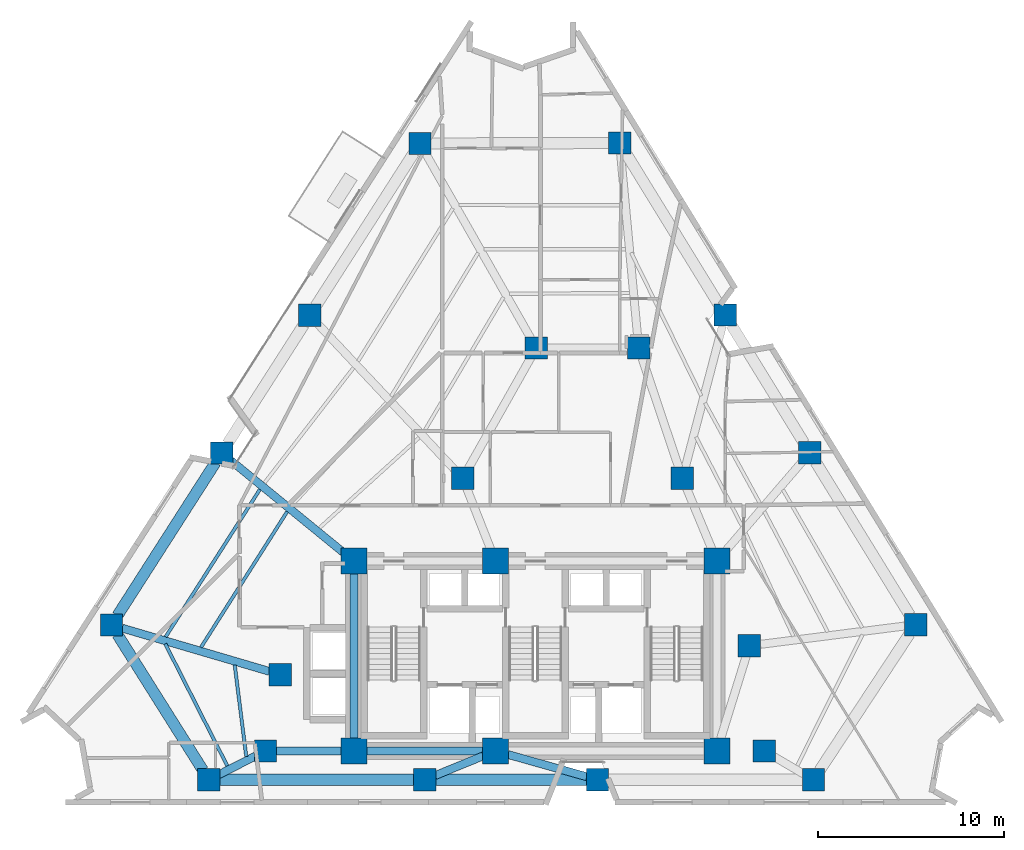
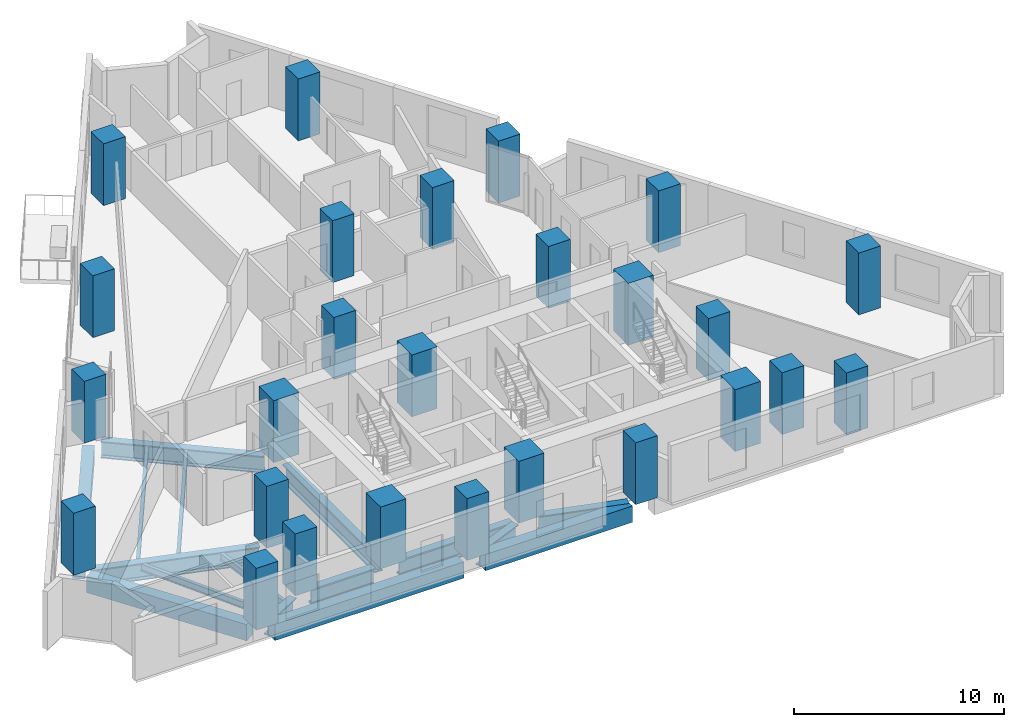
# One storey, part 1 of 13: 26 columns, 16 beams.
"""IFC4 building model written with IfcOpenShell, lengths in metres."""

import ifcopenshell
import ifcopenshell.guid

model = None  # the IFC model being written
_history = None  # IfcOwnerHistory: only IFC2X3 demands one
_inside = {}  # id of a spatial element -> (the spatial element, [elements in it])
_under = {}  # id of a project, library or spatial element -> (it, [spatial elements below it])
_declared = {}  # id of a project -> (the project, [libraries it declares])
_typed = {}  # id of a type object -> (the type object, [elements of that type])
_made_of = {}  # id of a material, layer set ... -> (it, [elements and type objects made of it])


def new_model(schema):
    """Start an empty IFC model of exactly this schema.

    Asked for "IFC4X3", IfcOpenShell would pick the latest addendum, in which some entities
    have other attributes; the version numbers below select the first issue.
    IFC2X3 requires an IfcOwnerHistory on every rooted entity: one is made here for all.
    """
    global model, _history
    if schema == "IFC4X3":
        model = ifcopenshell.file(schema_version=(4, 3, 0, 0))
    else:
        model = ifcopenshell.file(schema=schema)
    _inside.clear()
    _under.clear()
    _declared.clear()
    _typed.clear()
    _made_of.clear()
    _history = None
    if model.schema == "IFC2X3":
        org = make("IfcOrganization", Name="unknown")
        user = make(
            "IfcPersonAndOrganization",
            ThePerson=make("IfcPerson", FamilyName="unknown"),
            TheOrganization=org,
        )
        app = make(
            "IfcApplication",
            ApplicationDeveloper=org,
            Version="unknown",
            ApplicationFullName="unknown",
            ApplicationIdentifier="unknown",
        )
        _history = make(
            "IfcOwnerHistory",
            OwningUser=user,
            OwningApplication=app,
            ChangeAction="ADDED",
            CreationDate=0,
        )
    return model


def make(cls, **values):
    """One entity of the class cls with the attributes given. An attribute that is None is left unset."""
    return model.create_entity(
        cls, **{name: value for name, value in values.items() if value is not None}
    )


def rooted(cls, **values):
    """An entity with a GlobalId (a new one), such as an element, a storey or a relation."""
    return make(cls, GlobalId=ifcopenshell.guid.new(), OwnerHistory=_history, **values)


def si_unit(unit_type, name, prefix=None):
    """IfcSIUnit, for example si_unit("LENGTHUNIT", "METRE", prefix="MILLI")."""
    return make("IfcSIUnit", UnitType=unit_type, Prefix=prefix, Name=name)


def assignment(units):
    """IfcUnitAssignment: the units of a project."""
    return None if units is None else make("IfcUnitAssignment", Units=units)


def point(xyz):
    """IfcCartesianPoint."""
    return None if xyz is None else make("IfcCartesianPoint", Coordinates=xyz)


def direction(xyz):
    """IfcDirection."""
    return None if xyz is None else make("IfcDirection", DirectionRatios=xyz)


def frame(location, z_axis=None, x_axis=None):
    """IfcAxis2Placement3D, a coordinate frame: its origin and axes. An axis left out is left unset."""
    return make(
        "IfcAxis2Placement3D",
        Location=point(location),
        Axis=direction(z_axis),
        RefDirection=direction(x_axis),
    )


def frame_2d(location, x_axis=None):
    """IfcAxis2Placement2D, a coordinate frame in the plane: its origin and x axis."""
    return make(
        "IfcAxis2Placement2D", Location=point(location), RefDirection=direction(x_axis)
    )


def origin():
    """The frame at (0, 0, 0) with its axes left unset."""
    return frame((0.0, 0.0, 0.0))


def origin_2d():
    """The frame at (0, 0) in the plane with its x axis left unset."""
    return frame_2d((0.0, 0.0))


def place(relative_to, where):
    """IfcLocalPlacement: puts the frame where relative to a parent placement (None: the world)."""
    return make(
        "IfcLocalPlacement", PlacementRelTo=relative_to, RelativePlacement=where
    )


def context(
    kind, dimensions, precision=None, world=None, true_north=None, identifier=None
):
    """IfcGeometricRepresentationContext, for example the 3D "Model" context."""
    return make(
        "IfcGeometricRepresentationContext",
        ContextIdentifier=identifier,
        ContextType=kind,
        CoordinateSpaceDimension=dimensions,
        Precision=precision,
        WorldCoordinateSystem=world,
        TrueNorth=true_north,
    )


def subcontext(parent, identifier, kind, view, scale=None):
    """IfcGeometricRepresentationSubContext, for example "Body" below "Model"."""
    return make(
        "IfcGeometricRepresentationSubContext",
        ContextIdentifier=identifier,
        ContextType=kind,
        ParentContext=parent,
        TargetScale=scale,
        TargetView=view,
    )


def project(units=None, contexts=None):
    """IfcProject with its units and contexts."""
    return rooted(
        "IfcProject",
        Name="project",
        RepresentationContexts=contexts,
        UnitsInContext=assignment(units),
    )


def spatial(cls, under=None, at=None, **own):
    """A site, building, storey or space (cls), placed at a placement, below another one or the project."""
    s = rooted(cls, ObjectPlacement=at, **own)
    if under is not None:
        _under.setdefault(under.id(), (under, []))[1].append(s)
    return s


def profile(cls, at=None, kind="AREA", **sizes):
    """A parametric profile (cls). Its sizes go by their IFC names, for example OverallWidth=200.0."""
    return make(cls, ProfileType=kind, Position=at, **sizes)


def rectangle(**sizes):
    """IfcRectangleProfileDef."""
    return profile("IfcRectangleProfileDef", **sizes)


def i_section(**sizes):
    """IfcIShapeProfileDef."""
    return profile("IfcIShapeProfileDef", **sizes)


def extrude(swept, where, along, depth):
    """IfcExtrudedAreaSolid: the profile swept, set in the frame where, extruded along a direction by depth."""
    return make(
        "IfcExtrudedAreaSolid",
        SweptArea=swept,
        Position=where,
        ExtrudedDirection=direction(along),
        Depth=depth,
    )


def shape(context_of_items, identifier, shape_type, items):
    """IfcShapeRepresentation: the items that make up one representation, for example the "Body"."""
    return make(
        "IfcShapeRepresentation",
        ContextOfItems=context_of_items,
        RepresentationIdentifier=identifier,
        RepresentationType=shape_type,
        Items=items,
    )


def material(Name=None, Category=None):
    """IfcMaterial."""
    return make("IfcMaterial", Name=Name, Category=Category)


def material_profile(
    of_material, cross_section, Name=None, Category=None, Priority=None
):
    """IfcMaterialProfile: a cross section and its material."""
    return make(
        "IfcMaterialProfile",
        Name=Name,
        Material=of_material,
        Profile=cross_section,
        Priority=Priority,
        Category=Category,
    )


def profile_set(profiles, Name=None, composite=None):
    """IfcMaterialProfileSet."""
    return make(
        "IfcMaterialProfileSet",
        Name=Name,
        MaterialProfiles=profiles,
        CompositeProfile=composite,
    )


def made_of(thing, what):
    """Note that an element or type object is made of a material, layer set ...; save() writes the relation."""
    if what is not None:
        _made_of.setdefault(what.id(), (what, []))[1].append(thing)
    return thing


def type_object(cls, material=None, **own):
    """A type object (cls), such as IfcWallType, which elements share."""
    return made_of(rooted(cls, **own), material)


def element(
    cls,
    number,
    at=None,
    inside=None,
    cuts=None,
    type_object=None,
    material=None,
    context=None,
    identifier="Body",
    shape_type=None,
    held_by="IfcProductDefinitionShape",
    body=None,
    shapes=None,
    **own,
):
    """One element of the class cls, such as IfcWall. Its Tag is "e" and its number.

    at: its placement. inside: the storey or other place that contains it. cuts: it is an
    opening in that element (IfcRelVoidsElement). A single representation is given by context,
    identifier, shape_type and body (its items); several are given by shapes. held_by: the class
    of the entity that holds the representations. save() writes the other relations.
    """
    e = rooted(cls, Tag="e%d" % number, ObjectPlacement=at, **own)
    if body is not None:
        shapes = [shape(context, identifier, shape_type, body)]
    if shapes is not None:
        e.Representation = make(held_by, Representations=shapes)
    if inside is not None:
        _inside.setdefault(inside.id(), (inside, []))[1].append(e)
    if cuts is not None:
        rooted(
            "IfcRelVoidsElement", RelatingBuildingElement=cuts, RelatedOpeningElement=e
        )
    if type_object is not None:
        _typed.setdefault(type_object.id(), (type_object, []))[1].append(e)
    return made_of(e, material)


def aggregate(whole, parts):
    """IfcRelAggregates: a whole, such as a stair, and the parts it consists of."""
    return rooted("IfcRelAggregates", RelatingObject=whole, RelatedObjects=parts)


def save(model, path):
    """Write the relations noted so far, then the file.

    IfcRelAggregates (storeys below a building ...), IfcRelContainedInSpatialStructure (elements
    in a storey), IfcRelDefinesByType, IfcRelAssociatesMaterial and IfcRelDeclares: one each for
    every whole, place, type object, material and project.
    """
    for whole, parts in _under.values():
        aggregate(whole, parts)
    for where, things in _inside.values():
        rooted(
            "IfcRelContainedInSpatialStructure",
            RelatedElements=things,
            RelatingStructure=where,
        )
    for kind, things in _typed.values():
        rooted("IfcRelDefinesByType", RelatedObjects=things, RelatingType=kind)
    for what, things in _made_of.values():
        rooted("IfcRelAssociatesMaterial", RelatedObjects=things, RelatingMaterial=what)
    for by, libraries in _declared.values():
        rooted("IfcRelDeclares", RelatingContext=by, RelatedDefinitions=libraries)
    model.write(path)


model = new_model("IFC4")

# Units and contexts
model_context = context("Model", 3, precision=1e-05, world=origin(), true_north=direction((0.0, 1.0)))
body_context = subcontext(model_context, "Body", "Model", "MODEL_VIEW")
ifc_project = project(units=[si_unit("LENGTHUNIT", "METRE"), si_unit("AREAUNIT", "SQUARE_METRE"), si_unit("VOLUMEUNIT", "CUBIC_METRE"), si_unit("PLANEANGLEUNIT", "RADIAN"), si_unit("MASSUNIT", "GRAM", prefix="KILO")], contexts=[model_context])

# Site, building, storey
site_placement = place(None, origin())
site = spatial("IfcSite", under=ifc_project, at=site_placement, CompositionType="ELEMENT")
building_placement = place(site_placement, origin())
building = spatial("IfcBuilding", under=site, at=building_placement, Name="Almagre Mirador Tower", CompositionType="ELEMENT")
storey_placement = place(building_placement, frame((0.0, 0.0, 78.60009765625)))
storey = spatial("IfcBuildingStorey", under=building, at=storey_placement, Name="L19", CompositionType="ELEMENT", Elevation=78.60009765625)

# Columns
ifc_material_1 = material(Name="Concrete C60/75", Category="concrete")
ifc_material_profile_1 = material_profile(ifc_material_1, rectangle(XDim=1.199951171875, YDim=1.199951171875, at=origin_2d()), Name="RC1200X1200")
ifc_profile_set_1 = profile_set([ifc_material_profile_1], Name="Concrete C60/75")
column_type_1 = type_object("IfcColumnType", Name="COL-RC1200", PredefinedType="COLUMN", material=ifc_profile_set_1)
for number, where, z_axis, x_axis, name in (
    (1, (22.800048828125, 4.550048828125, 0.0), (0.0, 0.0, 1.0), (1.0, 0.0, 0.0), "L19 interior transfer column MC1"),
    (2, (49.60009765625, 4.550048828125, 0.0), (0.0, 0.0, 1.0), (1.0, 0.0, 0.0), "L19 interior transfer column MC2"),
    (3, (48.800048828125, 10.199951171875, 0.0), (0.0, 0.0, 1.0), (1.0, 0.0, 0.0), "L19 interior transfer column MC3"),
    (4, (45.199951171875, 19.199951171875, 0.0), (0.0, 0.0, 1.0), (1.0, 0.0, 0.0), "L19 interior transfer column MC5"),
    (5, (42.85009765625, 26.199951171875, 0.0), (0.0, 0.0, 1.0), (1.0, 0.0, 0.0), "L19 interior transfer column MC6"),
    (6, (37.35009765625, 26.199951171875, 0.0), (0.0, 0.0, 1.0), (1.0, 0.0, 0.0), "L19 interior transfer column MC7"),
    (7, (33.39990234375, 19.199951171875, 0.0), (0.0, 0.0, 1.0), (1.0, 0.0, 0.0), "L19 interior transfer column MC8"),
    (8, (23.60009765625, 8.64990234375, 0.0), (0.0, 0.0, 1.0), (1.0, 0.0, 0.0), "L19 interior transfer column MC10"),
    (9, (19.760009765625, 3.0, 0.0), (0.0, 0.0, 1.0), (1.0, 0.0, 0.0), "L19 perimeter column PC01"),
    (10, (31.360107421875, 3.0, 0.0), (0.0, 0.0, 1.0), (1.0, 0.0, 0.0), "L19 perimeter column PC02"),
    (11, (40.639892578125, 3.0, 0.0), (0.0, 0.0, 1.0), (1.0, 0.0, 0.0), "L19 perimeter column PC03"),
    (12, (52.239990234375, 3.0, 0.0), (0.0, 0.0, 1.0), (1.0, 0.0, 0.0), "L19 perimeter column PC04"),
    (13, (57.72998046875, 11.3359375, 0.0), (0.0, 0.0, 1.0), (1.0, 0.0, 0.0), "L19 perimeter column PC05"),
    (14, (52.050048828125, 20.575927734375, 0.0), (0.0, 0.0, 1.0), (1.0, 0.0, 0.0), "L19 perimeter column PC06"),
    (15, (47.506103515625, 27.968017578125, 0.0), (0.0, 0.0, 1.0), (1.0, 0.0, 0.0), "L19 perimeter column PC07"),
    (16, (41.825927734375, 37.2080078125, 0.0), (0.0, 0.0, 1.0), (1.0, 0.0, 0.0), "L19 perimeter column PC08"),
    (17, (31.097900390625, 37.18896484375, 0.0), (0.0, 0.0, 1.0), (1.0, 0.0, 0.0), "L19 perimeter column PC09"),
    (18, (25.177978515625, 27.948974609375, 0.0), (0.0, 0.0, 1.0), (1.0, 0.0, 0.0), "L19 perimeter column PC10"),
    (19, (20.44189453125, 20.556884765625, 0.0), (0.0, 0.0, 1.0), (1.0, 0.0, 0.0), "L19 perimeter column PC11"),
    (20, (14.52197265625, 11.31689453125, 0.0), (0.0, 0.0, 1.0), (1.0, 0.0, 0.0), "L19 perimeter column PC12"),
):
    element("IfcColumn", number, at=place(storey_placement, frame(where, z_axis=z_axis, x_axis=x_axis)), inside=storey, type_object=column_type_1, Name=name, PredefinedType="COLUMN", context=body_context, shape_type="SweptSolid", body=[
        extrude(rectangle(XDim=1.199951171875, YDim=1.199951171875, at=origin_2d()), origin(), (0.0, 0.0, 1.0), 3.599853515625),
    ])
ifc_material_2 = material(Name="Concrete C60/75", Category="concrete")
ifc_material_profile_2 = material_profile(ifc_material_2, rectangle(XDim=1.39990234375, YDim=1.39990234375, at=origin_2d()), Name="RC1400X1400")
ifc_profile_set_2 = profile_set([ifc_material_profile_2], Name="Concrete C60/75")
column_type_2 = type_object("IfcColumnType", Name="COL-RC1400", PredefinedType="COLUMN", material=ifc_profile_set_2)
for number, where, z_axis, x_axis, name in (
    (21, (27.550048828125, 4.550048828125, 0.0), (0.0, 0.0, 1.0), (1.0, 0.0, 0.0), "L19 core spine column CC1"),
    (22, (35.14990234375, 4.550048828125, 0.0), (0.0, 0.0, 1.0), (1.0, 0.0, 0.0), "L19 core spine column CC2"),
    (23, (47.050048828125, 4.550048828125, 0.0), (0.0, 0.0, 1.0), (1.0, 0.0, 0.0), "L19 core spine column CC3"),
    (24, (27.550048828125, 14.75, 0.0), (0.0, 0.0, 1.0), (1.0, 0.0, 0.0), "L19 core spine column CC4"),
    (25, (35.14990234375, 14.75, 0.0), (0.0, 0.0, 1.0), (1.0, 0.0, 0.0), "L19 core spine column CC5"),
    (26, (47.050048828125, 14.75, 0.0), (0.0, 0.0, 1.0), (1.0, 0.0, 0.0), "L19 core spine column CC6"),
):
    element("IfcColumn", number, at=place(storey_placement, frame(where, z_axis=z_axis, x_axis=x_axis)), inside=storey, type_object=column_type_2, Name=name, PredefinedType="COLUMN", context=body_context, shape_type="SweptSolid", body=[
        extrude(rectangle(XDim=1.39990234375, YDim=1.39990234375, at=origin_2d()), origin(), (0.0, 0.0, 1.0), 3.599853515625),
    ])

# Beams
ifc_material_3 = material(Name="Steel ASTM A992 Grade 50", Category="steel")
ifc_material_profile_3 = material_profile(ifc_material_3, i_section(OverallWidth=0.178955078125, OverallDepth=0.408935546875, WebThickness=0.0087890625, FlangeThickness=0.014404296875, FilletRadius=0.013916015625, at=origin_2d()), Name="W16X45")
ifc_profile_set_3 = profile_set([ifc_material_profile_3], Name="Steel ASTM A992 Grade 50")
beam_type_1 = type_object("IfcBeamType", Name="BM-JST-W16X45", PredefinedType="JOIST", material=ifc_profile_set_3)
beam_1_placement = place(storey_placement, frame((22.499755859375, 18.601318359375, -0.45458984375), z_axis=(-0.538691298847, -0.842503225244, 0.0), x_axis=(0.842503225244, -0.538691298847, 0.0)))
element("IfcBeam", 27, at=beam_1_placement, inside=storey, type_object=beam_type_1, Name="L19 secondary floor joist PC11-PC12.1", PredefinedType="JOIST", context=body_context, shape_type="SweptSolid", body=[
    extrude(i_section(OverallWidth=0.178955078125, OverallDepth=0.408935546875, WebThickness=0.0087890625, FlangeThickness=0.014404296875, FilletRadius=0.013916015625, at=origin_2d()), origin(), (0.0, 0.0, 1.0), 9.40673828125),
])
beam_2_placement = place(storey_placement, frame((23.964599609375, 17.40478515625, -0.45458984375), z_axis=(-0.536295360878, -0.844030382096, 0.0), x_axis=(0.844030382096, -0.536295360878, 0.0)))
element("IfcBeam", 28, at=beam_2_placement, inside=storey, type_object=beam_type_1, Name="L19 secondary floor joist PC11-PC12.2", PredefinedType="JOIST", context=body_context, shape_type="SweptSolid", body=[
    extrude(i_section(OverallWidth=0.178955078125, OverallDepth=0.408935546875, WebThickness=0.0087890625, FlangeThickness=0.014404296875, FilletRadius=0.013916015625, at=origin_2d()), origin(), (0.0, 0.0, 1.0), 8.634033203125),
])
beam_3_placement = place(storey_placement, frame((17.4140625, 10.30517578125, -0.45458984375), z_axis=(0.453201108241, -0.891408298979, 0.0), x_axis=(0.891408298979, 0.453201108241, 0.0)))
element("IfcBeam", 29, at=beam_3_placement, inside=storey, type_object=beam_type_1, Name="L19 secondary floor joist PC12-PC01.1", PredefinedType="JOIST", context=body_context, shape_type="SweptSolid", body=[
    extrude(i_section(OverallWidth=0.178955078125, OverallDepth=0.408935546875, WebThickness=0.0087890625, FlangeThickness=0.014404296875, FilletRadius=0.013916015625, at=origin_2d()), origin(), (0.0, 0.0, 1.0), 7.35986328125),
])
beam_4_placement = place(storey_placement, frame((21.148681640625, 9.165771484375, -0.45458984375), z_axis=(0.124537963573, -0.992214843484, 0.0), x_axis=(0.992214843484, 0.124537963573, 0.0)))
element("IfcBeam", 30, at=beam_4_placement, inside=storey, type_object=beam_type_1, Name="L19 secondary floor joist PC12-PC01.3", PredefinedType="JOIST", context=body_context, shape_type="SweptSolid", body=[
    extrude(i_section(OverallWidth=0.178955078125, OverallDepth=0.408935546875, WebThickness=0.0087890625, FlangeThickness=0.014404296875, FilletRadius=0.013916015625, at=origin_2d()), origin(), (0.0, 0.0, 1.0), 4.955810546875),
])
ifc_material_4 = material(Name="Precast concrete C50/60", Category="concrete")
ifc_material_profile_4 = material_profile(ifc_material_4, rectangle(XDim=0.60009765625, YDim=0.949951171875, at=origin_2d()), Name="RC600X950")
ifc_profile_set_4 = profile_set([ifc_material_profile_4], Name="Precast concrete C50/60")
beam_type_2 = type_object("IfcBeamType", Name="BM-SPN-RC600X950", PredefinedType="SPANDREL", material=ifc_profile_set_4)
beam_5_placement = place(storey_placement, frame((20.360107421875, 3.0, -0.72509765625), z_axis=(1.0, 0.0, 0.0), x_axis=(0.0, 1.0, 0.0)))
element("IfcBeam", 31, at=beam_5_placement, inside=storey, type_object=beam_type_2, Name="L19 perimeter spandrel beam PC01-PC02", PredefinedType="SPANDREL", context=body_context, shape_type="SweptSolid", body=[
    extrude(rectangle(XDim=0.60009765625, YDim=0.949951171875, at=origin_2d()), origin(), (0.0, 0.0, 1.0), 10.39990234375),
])
beam_6_placement = place(storey_placement, frame((31.9599609375, 3.0, -0.72509765625), z_axis=(1.0, 0.0, 0.0), x_axis=(0.0, 1.0, 0.0)))
element("IfcBeam", 32, at=beam_6_placement, inside=storey, type_object=beam_type_2, Name="L19 perimeter spandrel beam PC02-PC03", PredefinedType="SPANDREL", context=body_context, shape_type="SweptSolid", body=[
    extrude(rectangle(XDim=0.60009765625, YDim=0.949951171875, at=origin_2d()), origin(), (0.0, 0.0, 1.0), 8.080078125),
])
beam_7_placement = place(storey_placement, frame((20.118408203125, 20.0517578125, -0.72509765625), z_axis=(-0.539476801219, -0.842000463745, 0.0), x_axis=(0.842000463745, -0.539476801219, 0.0)))
element("IfcBeam", 33, at=beam_7_placement, inside=storey, type_object=beam_type_2, Name="L19 perimeter spandrel beam PC11-PC12", PredefinedType="SPANDREL", context=body_context, shape_type="SweptSolid", body=[
    extrude(rectangle(XDim=0.60009765625, YDim=0.949951171875, at=origin_2d()), origin(), (0.0, 0.0, 1.0), 9.773681640625),
])
beam_8_placement = place(storey_placement, frame((14.841796875, 10.809326171875, -0.72509765625), z_axis=(0.532907818856, -0.846173301754, 0.0), x_axis=(0.846173301754, 0.532907818856, 0.0)))
element("IfcBeam", 34, at=beam_8_placement, inside=storey, type_object=beam_type_2, Name="L19 perimeter spandrel beam PC12-PC01", PredefinedType="SPANDREL", context=body_context, shape_type="SweptSolid", body=[
    extrude(rectangle(XDim=0.60009765625, YDim=0.949951171875, at=origin_2d()), origin(), (0.0, 0.0, 1.0), 8.62890625),
])
ifc_material_5 = material(Name="Steel ASTM A992 Grade 50", Category="steel")
ifc_material_profile_5 = material_profile(ifc_material_5, i_section(OverallWidth=0.427978515625, OverallDepth=0.97509765625, WebThickness=0.031005859375, FlangeThickness=0.055908203125, FilletRadius=0.028076171875, at=origin_2d()), Name="W36X395")
ifc_profile_set_5 = profile_set([ifc_material_profile_5], Name="Steel ASTM A992 Grade 50")
beam_type_3 = type_object("IfcBeamType", Name="BM-STL-W36X395", PredefinedType="BEAM", material=ifc_profile_set_5)
beam_9_placement = place(storey_placement, frame((20.29443359375, 3.2724609375, -0.737548828125), z_axis=(0.890845728366, 0.454305941247, 0.0), x_axis=(-0.454305941247, 0.890845728366, 0.0)))
element("IfcBeam", 35, at=beam_9_placement, inside=storey, type_object=beam_type_3, Name="L19 radial floor girder PC01-MC1", PredefinedType="BEAM", context=body_context, shape_type="SweptSolid", body=[
    extrude(i_section(OverallWidth=0.427978515625, OverallDepth=0.97509765625, WebThickness=0.031005859375, FlangeThickness=0.055908203125, FilletRadius=0.028076171875, at=origin_2d()), origin(), (0.0, 0.0, 1.0), 2.21240234375),
])
beam_10_placement = place(storey_placement, frame((31.915283203125, 3.22705078125, -0.737548828125), z_axis=(0.925599823227, 0.378503589472, 0.0), x_axis=(-0.378503589472, 0.925599823227, 0.0)))
element("IfcBeam", 36, at=beam_10_placement, inside=storey, type_object=beam_type_3, Name="L19 radial floor girder PC02-CC2", PredefinedType="BEAM", context=body_context, shape_type="SweptSolid", body=[
    extrude(i_section(OverallWidth=0.427978515625, OverallDepth=0.97509765625, WebThickness=0.031005859375, FlangeThickness=0.055908203125, FilletRadius=0.028076171875, at=origin_2d()), origin(), (0.0, 0.0, 1.0), 2.794921875),
])
beam_11_placement = place(storey_placement, frame((40.0625, 3.1630859375, -0.737548828125), z_axis=(-0.962376859891, 0.271718198778, 0.0), x_axis=(-0.271718198778, -0.962376859891, 0.0)))
element("IfcBeam", 37, at=beam_11_placement, inside=storey, type_object=beam_type_3, Name="L19 radial floor girder PC03-CC2", PredefinedType="BEAM", context=body_context, shape_type="SweptSolid", body=[
    extrude(i_section(OverallWidth=0.427978515625, OverallDepth=0.97509765625, WebThickness=0.031005859375, FlangeThickness=0.055908203125, FilletRadius=0.028076171875, at=origin_2d()), origin(), (0.0, 0.0, 1.0), 4.404541015625),
])
beam_12_placement = place(storey_placement, frame((20.90673828125, 20.177490234375, -0.737548828125), z_axis=(0.774403065798, -0.632692572805, 0.0), x_axis=(0.632692572805, 0.774403065798, 0.0)))
element("IfcBeam", 38, at=beam_12_placement, inside=storey, type_object=beam_type_3, Name="L19 radial floor girder PC11-CC4", PredefinedType="BEAM", context=body_context, shape_type="SweptSolid", body=[
    extrude(i_section(OverallWidth=0.427978515625, OverallDepth=0.97509765625, WebThickness=0.031005859375, FlangeThickness=0.055908203125, FilletRadius=0.028076171875, at=origin_2d()), origin(), (0.0, 0.0, 1.0), 7.87841796875),
])
beam_13_placement = place(storey_placement, frame((15.09765625, 11.14794921875, -0.737548828125), z_axis=(0.959448747286, -0.281883134174, 0.0), x_axis=(0.281883134174, 0.959448747286, 0.0)))
element("IfcBeam", 39, at=beam_13_placement, inside=storey, type_object=beam_type_3, Name="L19 radial floor girder PC12-MC10", PredefinedType="BEAM", context=body_context, shape_type="SweptSolid", body=[
    extrude(i_section(OverallWidth=0.427978515625, OverallDepth=0.97509765625, WebThickness=0.031005859375, FlangeThickness=0.055908203125, FilletRadius=0.028076171875, at=origin_2d()), origin(), (0.0, 0.0, 1.0), 8.26171875),
])
ifc_material_6 = material(Name="Steel ASTM A992 Grade 50", Category="steel")
ifc_material_profile_6 = material_profile(ifc_material_6, i_section(OverallWidth=0.43701171875, OverallDepth=1.010986328125, WebThickness=0.041015625, FlangeThickness=0.073974609375, FilletRadius=0.028076171875, at=origin_2d()), Name="W36X529")
ifc_profile_set_6 = profile_set([ifc_material_profile_6], Name="Steel ASTM A992 Grade 50")
beam_type_4 = type_object("IfcBeamType", Name="BM-STL-W36X529", PredefinedType="BEAM", material=ifc_profile_set_6)
beam_14_placement = place(storey_placement, frame((28.25, 4.550048828125, -0.755615234375), z_axis=(1.0, 0.0, 0.0), x_axis=(0.0, 1.0, 0.0)))
element("IfcBeam", 40, at=beam_14_placement, inside=storey, type_object=beam_type_4, Name="L19 core tie girder CC1-CC2", PredefinedType="BEAM", context=body_context, shape_type="SweptSolid", body=[
    extrude(i_section(OverallWidth=0.43701171875, OverallDepth=1.010986328125, WebThickness=0.041015625, FlangeThickness=0.073974609375, FilletRadius=0.028076171875, at=origin_2d()), origin(), (0.0, 0.0, 1.0), 6.199951171875),
])
beam_15_placement = place(storey_placement, frame((27.550048828125, 5.25, -0.755615234375), z_axis=(0.0, 1.0, 0.0), x_axis=(-1.0, 0.0, 0.0)))
element("IfcBeam", 41, at=beam_15_placement, inside=storey, type_object=beam_type_4, Name="L19 core tie girder CC1-CC4", PredefinedType="BEAM", context=body_context, shape_type="SweptSolid", body=[
    extrude(i_section(OverallWidth=0.43701171875, OverallDepth=1.010986328125, WebThickness=0.041015625, FlangeThickness=0.073974609375, FilletRadius=0.028076171875, at=origin_2d()), origin(), (0.0, 0.0, 1.0), 8.800048828125),
])
beam_16_placement = place(storey_placement, frame((23.39990234375, 4.550048828125, -0.755615234375), z_axis=(1.0, 0.0, 0.0), x_axis=(0.0, 1.0, 0.0)))
element("IfcBeam", 42, at=beam_16_placement, inside=storey, type_object=beam_type_4, Name="L19 core tie girder MC1-CC1", PredefinedType="BEAM", context=body_context, shape_type="SweptSolid", body=[
    extrude(i_section(OverallWidth=0.43701171875, OverallDepth=1.010986328125, WebThickness=0.041015625, FlangeThickness=0.073974609375, FilletRadius=0.028076171875, at=origin_2d()), origin(), (0.0, 0.0, 1.0), 3.4501953125),
])

save(model, "model.ifc")
